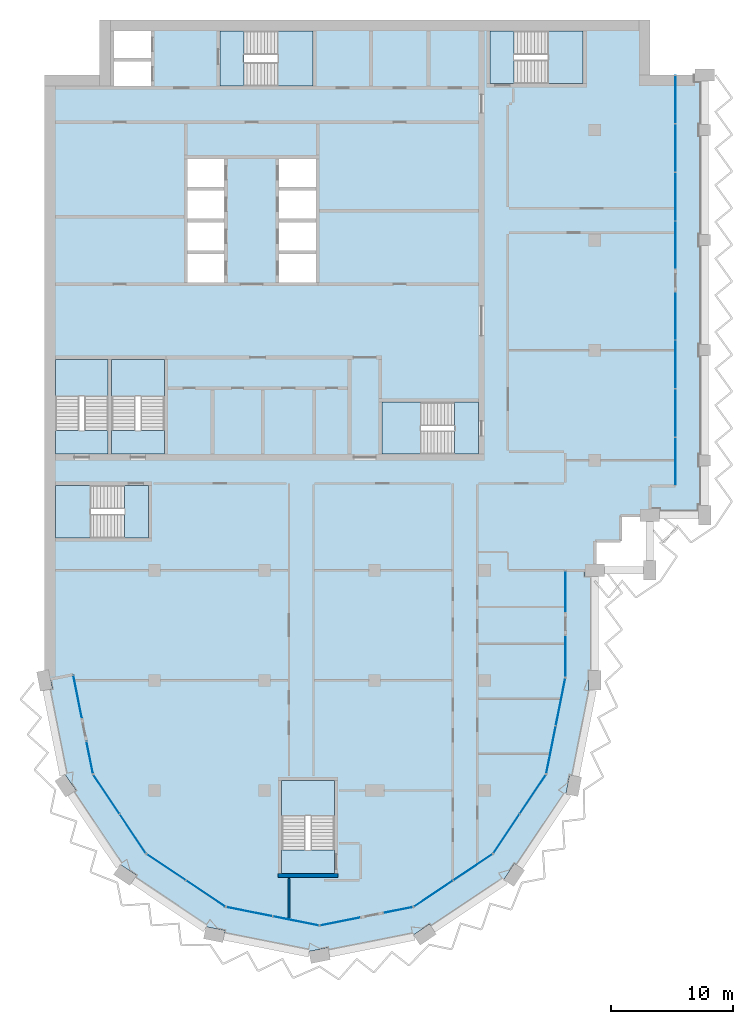
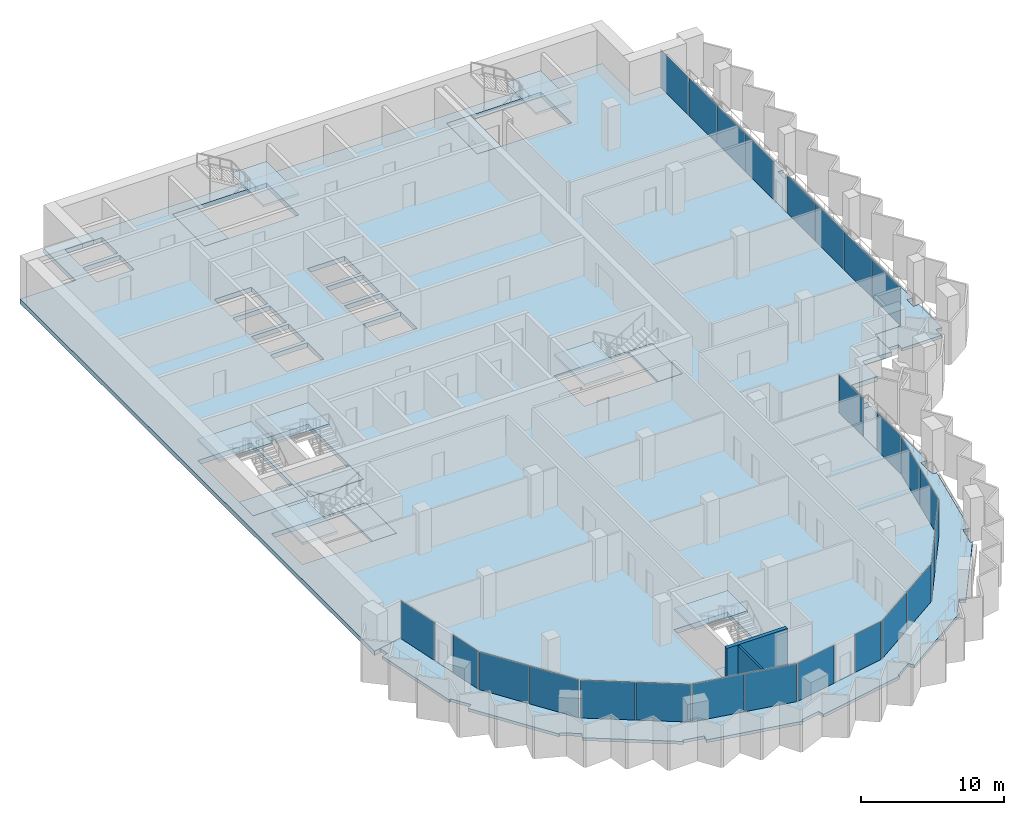
# One storey, part 6 of 16: 26 plates, 17 slabs, 2 walls, 21 elements without a shape of their own.
"""IFC4 building model written with IfcOpenShell, lengths in metres."""

from ifc_helpers import new_model, si_unit, direction, frame, frame_2d, origin, origin_2d, place, context, subcontext, project, spatial, polyline, rectangle, outline, extrude, material, layer, layer_set, type_object, element, aggregate, save


model = new_model("IFC4")

# Units and contexts
model_context = context("Model", 3, precision=1e-05, world=origin(), true_north=direction((0.0, 1.0)))
body_context = subcontext(model_context, "Body", "Model", "MODEL_VIEW")
ifc_project = project(units=[si_unit("LENGTHUNIT", "METRE"), si_unit("AREAUNIT", "SQUARE_METRE"), si_unit("VOLUMEUNIT", "CUBIC_METRE"), si_unit("PLANEANGLEUNIT", "RADIAN"), si_unit("MASSUNIT", "GRAM", prefix="KILO")], contexts=[model_context])

# Site, building, storey
site_placement = place(None, origin())
site = spatial("IfcSite", under=ifc_project, at=site_placement, CompositionType="ELEMENT")
building_placement = place(site_placement, origin())
building = spatial("IfcBuilding", under=site, at=building_placement, Name="Hunhe Ridgeline Campus", CompositionType="ELEMENT")
storey_placement = place(building_placement, frame((0.0, 0.0, 254.0)))
storey = spatial("IfcBuildingStorey", under=building, at=storey_placement, Name="L65", CompositionType="ELEMENT", Elevation=254.0)

# Curtain wall, plate
ifc_material_1 = material(Name="Aluminium 6063", Category="aluminium")
curtain_wall_type_1 = type_object("IfcCurtainWallType", Name="Curtain wall CW-5", PredefinedType="NOTDEFINED", material=ifc_material_1)
curtain_wall_1_placement = place(storey_placement, origin())
curtain_wall_1 = element("IfcCurtainWall", 1, at=curtain_wall_1_placement, inside=storey, type_object=curtain_wall_type_1, Name="Curtain wall 01", PredefinedType="NOTDEFINED")
ifc_material_2 = material(Name="Low-e laminated glass", Category="glass")
ifc_layer_1 = layer(ifc_material_2, 0.028076171875)
ifc_layer_set_1 = layer_set([ifc_layer_1], Name="Curtain wall glass panel 28 low-e laminated")
plate_type = type_object("IfcPlateType", Name="Curtain wall glass panel 28 low-e laminated", PredefinedType="CURTAIN_PANEL", material=ifc_layer_set_1)
plate_1_placement = place(storey_placement, frame((2.7158203125, 43.65380859375, 0.0), z_axis=(0.0, 0.0, 1.0), x_axis=(0.195095326561, -0.980784284924, 0.0)))
plate_1 = element("IfcPlate", 2, at=plate_1_placement, type_object=plate_type, Name="CW-5 panel 1", PredefinedType="CURTAIN_PANEL", context=body_context, shape_type="SweptSolid", body=[
    extrude(rectangle(XDim=3.560791015625, YDim=0.028076171875, at=origin_2d()), origin(), (0.0, 0.0, 1.0), 3.22998046875),
])
aggregate(curtain_wall_1, [plate_1])

curtain_wall_2_placement = place(storey_placement, origin())
curtain_wall_2 = element("IfcCurtainWall", 3, at=curtain_wall_2_placement, inside=storey, type_object=curtain_wall_type_1, Name="Curtain wall 02", PredefinedType="NOTDEFINED")
plate_2_placement = place(storey_placement, frame((3.701171875, 38.699951171875, 0.0), z_axis=(0.0, 0.0, 1.0), x_axis=(0.195095265587, -0.980784297053, 0.0)))
plate_2 = element("IfcPlate", 4, at=plate_2_placement, type_object=plate_type, Name="CW-5 panel 1", PredefinedType="CURTAIN_PANEL", context=body_context, shape_type="SweptSolid", body=[
    extrude(rectangle(XDim=2.660888671875, YDim=0.028076171875, at=origin_2d()), origin(), (0.0, 0.0, 1.0), 3.22998046875),
])
aggregate(curtain_wall_2, [plate_2])

# Curtain wall, plates
curtain_wall_3_placement = place(storey_placement, origin())
curtain_wall_3 = element("IfcCurtainWall", 5, at=curtain_wall_3_placement, inside=storey, type_object=curtain_wall_type_1, Name="Curtain wall 03", PredefinedType="NOTDEFINED")
plate_3_placement = place(storey_placement, frame((5.07080078125, 35.685546875, 0.0), z_axis=(0.0, 0.0, 1.0), x_axis=(0.555570274596, -0.831469584522, 0.0)))
plate_3 = element("IfcPlate", 6, at=plate_3_placement, type_object=plate_type, Name="CW-5 panel 1", PredefinedType="CURTAIN_PANEL", context=body_context, shape_type="SweptSolid", body=[
    extrude(rectangle(XDim=3.806884765625, YDim=0.028076171875, at=origin_2d()), origin(), (0.0, 0.0, 1.0), 3.22998046875),
])
plate_4_placement = place(storey_placement, frame((7.224609375, 32.4619140625, 0.0), z_axis=(0.0, 0.0, 1.0), x_axis=(0.555570274596, -0.831469584522, 0.0)))
plate_4 = element("IfcPlate", 7, at=plate_4_placement, type_object=plate_type, Name="CW-5 panel 2", PredefinedType="CURTAIN_PANEL", context=body_context, shape_type="SweptSolid", body=[
    extrude(rectangle(XDim=3.806884765625, YDim=0.028076171875, at=origin_2d()), origin(), (0.0, 0.0, 1.0), 3.22998046875),
])
aggregate(curtain_wall_3, [plate_3, plate_4])

curtain_wall_4_placement = place(storey_placement, origin())
curtain_wall_4 = element("IfcCurtainWall", 8, at=curtain_wall_4_placement, inside=storey, type_object=curtain_wall_type_1, Name="Curtain wall 04", PredefinedType="NOTDEFINED")
plate_5_placement = place(storey_placement, frame((9.9619140625, 29.724609375, 0.0), z_axis=(0.0, 0.0, 1.0), x_axis=(0.831469584522, -0.555570274596, 0.0)))
plate_5 = element("IfcPlate", 9, at=plate_5_placement, type_object=plate_type, Name="CW-5 panel 1", PredefinedType="CURTAIN_PANEL", context=body_context, shape_type="SweptSolid", body=[
    extrude(rectangle(XDim=3.806884765625, YDim=0.028076171875, at=origin_2d()), origin(), (0.0, 0.0, 1.0), 3.22998046875),
])
plate_6_placement = place(storey_placement, frame((13.185546875, 27.57080078125, 0.0), z_axis=(0.0, 0.0, 1.0), x_axis=(0.831469584522, -0.555570274596, 0.0)))
plate_6 = element("IfcPlate", 10, at=plate_6_placement, type_object=plate_type, Name="CW-5 panel 2", PredefinedType="CURTAIN_PANEL", context=body_context, shape_type="SweptSolid", body=[
    extrude(rectangle(XDim=3.806884765625, YDim=0.028076171875, at=origin_2d()), origin(), (0.0, 0.0, 1.0), 3.22998046875),
])
aggregate(curtain_wall_4, [plate_5, plate_6])

curtain_wall_5_placement = place(storey_placement, origin())
curtain_wall_5 = element("IfcCurtainWall", 11, at=curtain_wall_5_placement, inside=storey, type_object=curtain_wall_type_1, Name="Curtain wall 05", PredefinedType="NOTDEFINED")
plate_7_placement = place(storey_placement, frame((16.761962890625, 26.08935546875, 0.0), z_axis=(0.0, 0.0, 1.0), x_axis=(0.980785275326, -0.195090347539, 0.0)))
plate_7 = element("IfcPlate", 12, at=plate_7_placement, type_object=plate_type, Name="CW-5 panel 1", PredefinedType="CURTAIN_PANEL", context=body_context, shape_type="SweptSolid", body=[
    extrude(rectangle(XDim=3.806884765625, YDim=0.028076171875, at=origin_2d()), origin(), (0.0, 0.0, 1.0), 3.22998046875),
])
plate_8_placement = place(storey_placement, frame((20.564453125, 25.3330078125, 0.0), z_axis=(0.0, 0.0, 1.0), x_axis=(0.980785275326, -0.195090347539, 0.0)))
plate_8 = element("IfcPlate", 13, at=plate_8_placement, type_object=plate_type, Name="CW-5 panel 2", PredefinedType="CURTAIN_PANEL", context=body_context, shape_type="SweptSolid", body=[
    extrude(rectangle(XDim=3.806884765625, YDim=0.028076171875, at=origin_2d()), origin(), (0.0, 0.0, 1.0), 3.22998046875),
])
aggregate(curtain_wall_5, [plate_7, plate_8])

# Curtain wall, plate
curtain_wall_6_placement = place(storey_placement, origin())
curtain_wall_6 = element("IfcCurtainWall", 14, at=curtain_wall_6_placement, inside=storey, type_object=curtain_wall_type_1, Name="Curtain wall 06", PredefinedType="NOTDEFINED")
plate_9_placement = place(storey_placement, frame((24.19775390625, 25.28564453125, 0.0), z_axis=(0.0, 0.0, 1.0), x_axis=(0.980785270791, 0.19509037034, 0.0)))
plate_9 = element("IfcPlate", 15, at=plate_9_placement, type_object=plate_type, Name="CW-5 panel 1", PredefinedType="CURTAIN_PANEL", context=body_context, shape_type="SweptSolid", body=[
    extrude(rectangle(XDim=3.322021484375, YDim=0.028076171875, at=origin_2d()), origin(), (0.0, 0.0, 1.0), 3.22998046875),
])
aggregate(curtain_wall_6, [plate_9])

curtain_wall_7_placement = place(storey_placement, origin())
curtain_wall_7 = element("IfcCurtainWall", 16, at=curtain_wall_7_placement, inside=storey, type_object=curtain_wall_type_1, Name="Curtain wall 07", PredefinedType="NOTDEFINED")
plate_10_placement = place(storey_placement, frame((28.917236328125, 26.224609375, 0.0), z_axis=(0.0, 0.0, 1.0), x_axis=(0.980785242091, 0.195090514627, 0.0)))
plate_10 = element("IfcPlate", 17, at=plate_10_placement, type_object=plate_type, Name="CW-5 panel 1", PredefinedType="CURTAIN_PANEL", context=body_context, shape_type="SweptSolid", body=[
    extrude(rectangle(XDim=2.421875, YDim=0.028076171875, at=origin_2d()), origin(), (0.0, 0.0, 1.0), 3.22998046875),
])
aggregate(curtain_wall_7, [plate_10])

# Curtain wall, plates
curtain_wall_8_placement = place(storey_placement, origin())
curtain_wall_8 = element("IfcCurtainWall", 18, at=curtain_wall_8_placement, inside=storey, type_object=curtain_wall_type_1, Name="Curtain wall 08", PredefinedType="NOTDEFINED")
plate_11_placement = place(storey_placement, frame((31.814453125, 27.57080078125, 0.0), z_axis=(0.0, 0.0, 1.0), x_axis=(0.831469584522, 0.555570274596, 0.0)))
plate_11 = element("IfcPlate", 19, at=plate_11_placement, type_object=plate_type, Name="CW-5 panel 1", PredefinedType="CURTAIN_PANEL", context=body_context, shape_type="SweptSolid", body=[
    extrude(rectangle(XDim=3.806884765625, YDim=0.028076171875, at=origin_2d()), origin(), (0.0, 0.0, 1.0), 3.22998046875),
])
plate_12_placement = place(storey_placement, frame((35.0380859375, 29.724609375, 0.0), z_axis=(0.0, 0.0, 1.0), x_axis=(0.831469584522, 0.555570274596, 0.0)))
plate_12 = element("IfcPlate", 20, at=plate_12_placement, type_object=plate_type, Name="CW-5 panel 2", PredefinedType="CURTAIN_PANEL", context=body_context, shape_type="SweptSolid", body=[
    extrude(rectangle(XDim=3.806884765625, YDim=0.028076171875, at=origin_2d()), origin(), (0.0, 0.0, 1.0), 3.22998046875),
])
aggregate(curtain_wall_8, [plate_11, plate_12])

curtain_wall_9_placement = place(storey_placement, origin())
curtain_wall_9 = element("IfcCurtainWall", 21, at=curtain_wall_9_placement, inside=storey, type_object=curtain_wall_type_1, Name="Curtain wall 09", PredefinedType="NOTDEFINED")
plate_13_placement = place(storey_placement, frame((37.775390625, 32.4619140625, 0.0), z_axis=(0.0, 0.0, 1.0), x_axis=(0.555570274596, 0.831469584522, 0.0)))
plate_13 = element("IfcPlate", 22, at=plate_13_placement, type_object=plate_type, Name="CW-5 panel 1", PredefinedType="CURTAIN_PANEL", context=body_context, shape_type="SweptSolid", body=[
    extrude(rectangle(XDim=3.806884765625, YDim=0.028076171875, at=origin_2d()), origin(), (0.0, 0.0, 1.0), 3.22998046875),
])
plate_14_placement = place(storey_placement, frame((39.92919921875, 35.685546875, 0.0), z_axis=(0.0, 0.0, 1.0), x_axis=(0.555570274596, 0.831469584522, 0.0)))
plate_14 = element("IfcPlate", 23, at=plate_14_placement, type_object=plate_type, Name="CW-5 panel 2", PredefinedType="CURTAIN_PANEL", context=body_context, shape_type="SweptSolid", body=[
    extrude(rectangle(XDim=3.806884765625, YDim=0.028076171875, at=origin_2d()), origin(), (0.0, 0.0, 1.0), 3.22998046875),
])
aggregate(curtain_wall_9, [plate_13, plate_14])

curtain_wall_10_placement = place(storey_placement, origin())
curtain_wall_10 = element("IfcCurtainWall", 24, at=curtain_wall_10_placement, inside=storey, type_object=curtain_wall_type_1, Name="Curtain wall 10", PredefinedType="NOTDEFINED")
plate_15_placement = place(storey_placement, frame((41.42236328125, 39.321044921875, 0.0), z_axis=(0.0, 0.0, 1.0), x_axis=(0.195090299215, 0.980785284939, 0.0)))
plate_15 = element("IfcPlate", 25, at=plate_15_placement, type_object=plate_type, Name="CW-5 panel 1", PredefinedType="CURTAIN_PANEL", context=body_context, shape_type="SweptSolid", body=[
    extrude(rectangle(XDim=3.927490234375, YDim=0.028076171875, at=origin_2d()), origin(), (0.0, 0.0, 1.0), 3.22998046875),
])
plate_16_placement = place(storey_placement, frame((42.2021484375, 43.24169921875, 0.0), z_axis=(0.0, 0.0, 1.0), x_axis=(0.195090299215, 0.980785284939, 0.0)))
plate_16 = element("IfcPlate", 26, at=plate_16_placement, type_object=plate_type, Name="CW-5 panel 2", PredefinedType="CURTAIN_PANEL", context=body_context, shape_type="SweptSolid", body=[
    extrude(rectangle(XDim=3.927490234375, YDim=0.028076171875, at=origin_2d()), origin(), (0.0, 0.0, 1.0), 3.22998046875),
])
aggregate(curtain_wall_10, [plate_15, plate_16])

# Curtain wall, plate
curtain_wall_type_2 = type_object("IfcCurtainWallType", Name="Curtain wall CW-1", PredefinedType="NOTDEFINED", material=ifc_material_1)
curtain_wall_11_placement = place(storey_placement, origin())
curtain_wall_11 = element("IfcCurtainWall", 27, at=curtain_wall_11_placement, inside=storey, type_object=curtain_wall_type_2, Name="Curtain wall 11", PredefinedType="NOTDEFINED")
plate_17_placement = place(storey_placement, frame((42.59912109375, 46.9775390625, 0.0), z_axis=(0.0, 0.0, 1.0), x_axis=(1.9241592e-05, 0.999999999815, 0.0)))
plate_17 = element("IfcPlate", 28, at=plate_17_placement, type_object=plate_type, Name="CW-1 panel 1", PredefinedType="CURTAIN_PANEL", context=body_context, shape_type="SweptSolid", body=[
    extrude(rectangle(XDim=3.362060546875, YDim=0.028076171875, at=origin_2d()), origin(), (0.0, 0.0, 1.0), 3.239990234375),
])
aggregate(curtain_wall_11, [plate_17])

curtain_wall_12_placement = place(storey_placement, origin())
curtain_wall_12 = element("IfcCurtainWall", 29, at=curtain_wall_12_placement, inside=storey, type_object=curtain_wall_type_2, Name="Curtain wall 12", PredefinedType="NOTDEFINED")
plate_18_placement = place(storey_placement, frame((42.59912109375, 52.259521484375, 0.0), z_axis=(0.0, 0.0, 1.0), x_axis=(1.9241592e-05, 0.999999999815, 0.0)))
plate_18 = element("IfcPlate", 30, at=plate_18_placement, type_object=plate_type, Name="CW-1 panel 1", PredefinedType="CURTAIN_PANEL", context=body_context, shape_type="SweptSolid", body=[
    extrude(rectangle(XDim=3.362060546875, YDim=0.028076171875, at=origin_2d()), origin(), (0.0, 0.0, 1.0), 3.239990234375),
])
aggregate(curtain_wall_12, [plate_18])

# Curtain wall, plates
curtain_wall_13_placement = place(storey_placement, origin())
curtain_wall_13 = element("IfcCurtainWall", 31, at=curtain_wall_13_placement, inside=storey, type_object=curtain_wall_type_2, Name="Curtain wall 13", PredefinedType="NOTDEFINED")
plate_19_placement = place(storey_placement, frame((51.59912109375, 62.9033203125, 0.0), z_axis=(0.0, 0.0, 1.0), x_axis=(0.0, 1.0, 0.0)))
plate_19 = element("IfcPlate", 32, at=plate_19_placement, type_object=plate_type, Name="CW-1 panel 1", PredefinedType="CURTAIN_PANEL", context=body_context, shape_type="SweptSolid", body=[
    extrude(rectangle(XDim=3.884765625, YDim=0.028076171875, at=origin_2d()), origin(), (0.0, 0.0, 1.0), 3.239990234375),
])
plate_20_placement = place(storey_placement, frame((51.59912109375, 66.86328125, 0.0), z_axis=(0.0, 0.0, 1.0), x_axis=(0.0, 1.0, 0.0)))
plate_20 = element("IfcPlate", 33, at=plate_20_placement, type_object=plate_type, Name="CW-1 panel 2", PredefinedType="CURTAIN_PANEL", context=body_context, shape_type="SweptSolid", body=[
    extrude(rectangle(XDim=3.914794921875, YDim=0.028076171875, at=origin_2d()), origin(), (0.0, 0.0, 1.0), 3.239990234375),
])
plate_21_placement = place(storey_placement, frame((51.59912109375, 70.838134765625, 0.0), z_axis=(0.0, 0.0, 1.0), x_axis=(0.0, 1.0, 0.0)))
plate_21 = element("IfcPlate", 34, at=plate_21_placement, type_object=plate_type, Name="CW-1 panel 3", PredefinedType="CURTAIN_PANEL", context=body_context, shape_type="SweptSolid", body=[
    extrude(rectangle(XDim=3.914794921875, YDim=0.028076171875, at=origin_2d()), origin(), (0.0, 0.0, 1.0), 3.239990234375),
])
plate_22_placement = place(storey_placement, frame((51.59912109375, 74.798095703125, 0.0), z_axis=(0.0, 0.0, 1.0), x_axis=(0.0, 1.0, 0.0)))
plate_22 = element("IfcPlate", 35, at=plate_22_placement, type_object=plate_type, Name="CW-1 panel 4", PredefinedType="CURTAIN_PANEL", context=body_context, shape_type="SweptSolid", body=[
    extrude(rectangle(XDim=3.884765625, YDim=0.028076171875, at=origin_2d()), origin(), (0.0, 0.0, 1.0), 3.239990234375),
])
aggregate(curtain_wall_13, [plate_19, plate_20, plate_21, plate_22])

curtain_wall_14_placement = place(storey_placement, origin())
curtain_wall_14 = element("IfcCurtainWall", 36, at=curtain_wall_14_placement, inside=storey, type_object=curtain_wall_type_2, Name="Curtain wall 14", PredefinedType="NOTDEFINED")
plate_23_placement = place(storey_placement, frame((51.59912109375, 80.60302734375, 0.0), z_axis=(0.0, 0.0, 1.0), x_axis=(0.0, 1.0, 0.0)))
plate_23 = element("IfcPlate", 37, at=plate_23_placement, type_object=plate_type, Name="CW-1 panel 1", PredefinedType="CURTAIN_PANEL", context=body_context, shape_type="SweptSolid", body=[
    extrude(rectangle(XDim=3.884765625, YDim=0.028076171875, at=origin_2d()), origin(), (0.0, 0.0, 1.0), 3.239990234375),
])
plate_24_placement = place(storey_placement, frame((51.59912109375, 84.562744140625, 0.0), z_axis=(0.0, 0.0, 1.0), x_axis=(0.0, 1.0, 0.0)))
plate_24 = element("IfcPlate", 38, at=plate_24_placement, type_object=plate_type, Name="CW-1 panel 2", PredefinedType="CURTAIN_PANEL", context=body_context, shape_type="SweptSolid", body=[
    extrude(rectangle(XDim=3.914794921875, YDim=0.028076171875, at=origin_2d()), origin(), (0.0, 0.0, 1.0), 3.239990234375),
])
plate_25_placement = place(storey_placement, frame((51.59912109375, 88.53759765625, 0.0), z_axis=(0.0, 0.0, 1.0), x_axis=(0.0, 1.0, 0.0)))
plate_25 = element("IfcPlate", 39, at=plate_25_placement, type_object=plate_type, Name="CW-1 panel 3", PredefinedType="CURTAIN_PANEL", context=body_context, shape_type="SweptSolid", body=[
    extrude(rectangle(XDim=3.914794921875, YDim=0.028076171875, at=origin_2d()), origin(), (0.0, 0.0, 1.0), 3.239990234375),
])
plate_26_placement = place(storey_placement, frame((51.59912109375, 92.49755859375, 0.0), z_axis=(0.0, 0.0, 1.0), x_axis=(0.0, 1.0, 0.0)))
plate_26 = element("IfcPlate", 40, at=plate_26_placement, type_object=plate_type, Name="CW-1 panel 4", PredefinedType="CURTAIN_PANEL", context=body_context, shape_type="SweptSolid", body=[
    extrude(rectangle(XDim=3.884765625, YDim=0.028076171875, at=origin_2d()), origin(), (0.0, 0.0, 1.0), 3.239990234375),
])
aggregate(curtain_wall_14, [plate_23, plate_24, plate_25, plate_26])

# Slabs
ifc_material_3 = material(Name="Concrete C40", Category="concrete")
ifc_layer_2 = layer(ifc_material_3, 0.39990234375)
ifc_layer_set_2 = layer_set([ifc_layer_2], Name="Floor slab 400 Concrete C40")
slab_type_1 = type_object("IfcSlabType", Name="Floor slab 400 Concrete C40", PredefinedType="FLOOR", material=ifc_layer_set_2)
slab_1_placement = place(storey_placement, frame((0.0, 0.0, -0.39990234375)))
element("IfcSlab", 41, at=slab_1_placement, inside=storey, type_object=slab_type_1, Name="Floor slab L65 1", PredefinedType="FLOOR", context=body_context, shape_type="SweptSolid", body=[
    extrude(outline(polyline([(36.678955078125, 30.821044921875), (41.025634765625, 37.326416015625), (42.59912109375, 45.236572265625), (42.59912109375, 54.00048828125), (44.9990234375, 54.0009765625), (44.999267578125, 56.400634765625), (47.09912109375, 56.40087890625), (47.099609375, 58.5009765625), (49.4990234375, 58.5009765625), (49.49951171875, 60.90087890625), (51.59912109375, 60.90087890625), (51.59912109375, 94.5), (49.5, 94.5), (49.5, 99.0), (4.5, 99.0), (4.5, 94.5), (0.0, 94.5), (0.0, 45.0009765625), (2.354736328125, 45.46875), (3.974365234375, 37.326416015625), (8.321044921875, 30.821044921875), (14.826416015625, 26.474365234375), (22.5, 24.947998046875), (30.173583984375, 26.474365234375), (36.678955078125, 30.821044921875)]), holes=[polyline([(36.449951171875, 98.10009765625), (36.449951171875, 93.800048828125), (44.050048828125, 93.800048828125), (44.050048828125, 98.10009765625), (36.449951171875, 98.10009765625)]), polyline([(27.60009765625, 63.5), (35.5, 63.5), (35.5, 67.75), (27.60009765625, 67.75), (27.60009765625, 63.5)]), polyline([(19.39990234375, 36.800048828125), (19.39990234375, 29.199951171875), (23.699951171875, 29.199951171875), (23.699951171875, 36.800048828125), (19.39990234375, 36.800048828125)]), polyline([(22.199951171875, 87.64990234375), (19.199951171875, 87.64990234375), (19.199951171875, 85.35009765625), (22.199951171875, 85.35009765625), (22.199951171875, 87.64990234375)]), polyline([(22.199951171875, 77.550048828125), (22.199951171875, 79.85009765625), (19.199951171875, 79.85009765625), (19.199951171875, 77.550048828125), (22.199951171875, 77.550048828125)]), polyline([(19.199951171875, 85.050048828125), (19.199951171875, 82.75), (22.199951171875, 82.75), (22.199951171875, 85.050048828125), (19.199951171875, 85.050048828125)]), polyline([(19.199951171875, 80.14990234375), (22.199951171875, 80.14990234375), (22.199951171875, 82.449951171875), (19.199951171875, 82.449951171875), (19.199951171875, 80.14990234375)]), polyline([(14.35009765625, 98.10009765625), (14.35009765625, 93.60009765625), (21.949951171875, 93.60009765625), (21.949951171875, 98.10009765625), (14.35009765625, 98.10009765625)]), polyline([(14.699951171875, 87.64990234375), (11.699951171875, 87.64990234375), (11.699951171875, 85.35009765625), (14.699951171875, 85.35009765625), (14.699951171875, 87.64990234375)]), polyline([(14.699951171875, 77.550048828125), (14.699951171875, 79.85009765625), (11.699951171875, 79.85009765625), (11.699951171875, 77.550048828125), (14.699951171875, 77.550048828125)]), polyline([(11.699951171875, 85.050048828125), (11.699951171875, 82.75), (14.699951171875, 82.75), (14.699951171875, 85.050048828125), (11.699951171875, 85.050048828125)]), polyline([(11.699951171875, 80.14990234375), (14.699951171875, 80.14990234375), (14.699951171875, 82.449951171875), (11.699951171875, 82.449951171875), (11.699951171875, 80.14990234375)]), polyline([(9.800048828125, 63.5), (9.800048828125, 71.25), (5.5, 71.25), (5.5, 63.5), (9.800048828125, 63.5)]), polyline([(8.699951171875, 93.60009765625), (8.699951171875, 95.60009765625), (5.699951171875, 95.60009765625), (5.699951171875, 93.60009765625), (8.699951171875, 93.60009765625)]), polyline([(5.699951171875, 95.89990234375), (8.699951171875, 95.89990234375), (8.699951171875, 98.10009765625), (5.699951171875, 98.10009765625), (5.699951171875, 95.89990234375)]), polyline([(0.89990234375, 60.949951171875), (0.89990234375, 56.64990234375), (8.5, 56.64990234375), (8.5, 60.949951171875), (0.89990234375, 60.949951171875)]), polyline([(5.199951171875, 71.25), (0.89990234375, 71.25), (0.89990234375, 63.5), (5.199951171875, 63.5), (5.199951171875, 71.25)])]), origin(), (0.0, 0.0, 1.0), 0.39990234375),
])
ifc_layer_3 = layer(ifc_material_3, 0.25)
ifc_layer_set_3 = layer_set([ifc_layer_3], Name="Loggia slab 250 Concrete C40")
slab_type_2 = type_object("IfcSlabType", Name="Loggia slab 250 Concrete C40", PredefinedType="FLOOR", material=ifc_layer_set_3)
slab_2_placement = place(storey_placement, frame((0.0, 0.0, -0.25)))
element("IfcSlab", 42, at=slab_2_placement, inside=storey, type_object=slab_type_2, Name="Loggia slab 1", PredefinedType="FLOOR", context=body_context, shape_type="SweptSolid", body=[
    extrude(outline(polyline([(30.173828125, 26.473388671875), (22.5, 24.947021484375), (14.826171875, 26.473388671875), (8.3203125, 30.8203125), (3.973388671875, 37.326171875), (2.35400390625, 45.46826171875), (0.490478515625, 45.09765625), (0.646484375, 44.31298828125), (0.156005859375, 44.21533203125), (1.543701171875, 37.239013671875), (1.68408203125, 37.33251953125), (2.572998046875, 36.002197265625), (2.1572265625, 35.724365234375), (6.109130859375, 29.81005859375), (6.20263671875, 29.9501953125), (7.532958984375, 29.061279296875), (7.25537109375, 28.645751953125), (13.169677734375, 24.69384765625), (13.20263671875, 24.859130859375), (14.771728515625, 24.547119140625), (14.67431640625, 24.056640625), (21.650634765625, 22.6689453125), (21.617919921875, 22.834228515625), (23.18701171875, 23.146484375), (23.28466796875, 22.656005859375), (30.260986328125, 24.043701171875), (30.16748046875, 24.18408203125), (31.497802734375, 25.072998046875), (31.775634765625, 24.6572265625), (37.68994140625, 28.609130859375), (37.5498046875, 28.70263671875), (38.438720703125, 30.032958984375), (38.854248046875, 29.75537109375), (42.80615234375, 35.669677734375), (42.640869140625, 35.70263671875), (42.952880859375, 37.271728515625), (43.443359375, 37.17431640625), (44.8408203125, 44.199951171875), (44.5, 44.199951171875), (44.5, 45.800048828125), (45.0, 45.800048828125), (45.0, 53.5), (44.199951171875, 53.5), (44.199951171875, 54.0), (42.60009765625, 54.0), (42.60009765625, 45.236328125), (41.026611328125, 37.326171875), (36.6796875, 30.8203125), (30.173828125, 26.473388671875)])), origin(), (0.0, 0.0, 1.0), 0.25),
])
slab_3_placement = place(storey_placement, frame((0.0, 0.0, -0.25)))
element("IfcSlab", 43, at=slab_3_placement, inside=storey, type_object=slab_type_2, Name="Loggia slab 2", PredefinedType="FLOOR", context=body_context, shape_type="SweptSolid", body=[
    extrude(outline(polyline([(49.5, 59.0), (50.300048828125, 59.0), (50.300048828125, 58.5), (53.5, 58.5), (53.5, 59.300048828125), (54.0, 59.300048828125), (54.0, 62.550048828125), (53.550048828125, 62.550048828125), (53.550048828125, 63.449951171875), (54.0, 63.449951171875), (54.0, 71.550048828125), (53.550048828125, 71.550048828125), (53.550048828125, 72.449951171875), (54.0, 72.449951171875), (54.0, 80.550048828125), (53.550048828125, 80.550048828125), (53.550048828125, 81.449951171875), (54.0, 81.449951171875), (54.0, 89.550048828125), (53.550048828125, 89.550048828125), (53.550048828125, 90.449951171875), (54.0, 90.449951171875), (54.0, 94.0), (53.199951171875, 94.0), (53.199951171875, 94.5), (51.60009765625, 94.5), (51.60009765625, 60.89990234375), (49.5, 60.89990234375), (49.5, 59.0)])), origin(), (0.0, 0.0, 1.0), 0.25),
])

# Stair, slab
stair_type = type_object("IfcStairType", Name="Reinforced concrete dog-leg stair 1950 Concrete C40", PredefinedType="HALF_TURN_STAIR", material=ifc_material_3)
stair_1_placement = place(storey_placement, origin())
stair_1 = element("IfcStair", 44, at=stair_1_placement, inside=storey, type_object=stair_type, Name="L65 S1", PredefinedType="HALF_TURN_STAIR")
ifc_layer_4 = layer(ifc_material_3, 0.199951171875)
ifc_layer_set_4 = layer_set([ifc_layer_4], Name="Reinforced concrete stair landing 200 Concrete C40")
slab_type_3 = type_object("IfcSlabType", Name="Reinforced concrete stair landing 200 Concrete C40", PredefinedType="LANDING", material=ifc_layer_set_4)
slab_4_placement = place(storey_placement, frame((0.0, 0.0, 1.64990234375)))
slab_4 = element("IfcSlab", 45, at=slab_4_placement, type_object=slab_type_3, Name="ST1 landing 1", PredefinedType="LANDING", context=body_context, shape_type="SweptSolid", body=[
    extrude(outline(polyline([(19.10009765625, 93.60009765625), (21.949951171875, 93.60009765625), (21.949951171875, 98.10009765625), (19.10009765625, 98.10009765625), (19.10009765625, 93.60009765625)])), origin(), (0.0, 0.0, 1.0), 0.2001953125),
])
aggregate(stair_1, [slab_4])

# Slab
slab_5_placement = place(storey_placement, frame((0.0, 0.0, -0.199951171875)))
element("IfcSlab", 46, at=slab_5_placement, inside=storey, type_object=slab_type_3, Name="L65 stair S1 floor landing", PredefinedType="LANDING", context=body_context, shape_type="SweptSolid", body=[
    extrude(outline(polyline([(14.35009765625, 93.60009765625), (16.300048828125, 93.60009765625), (16.300048828125, 98.10009765625), (14.35009765625, 98.10009765625), (14.35009765625, 93.60009765625)])), origin(), (0.0, 0.0, 1.0), 0.199951171875),
])

# Stair, slab
stair_2_placement = place(storey_placement, origin())
stair_2 = element("IfcStair", 47, at=stair_2_placement, inside=storey, type_object=stair_type, Name="L65 S2", PredefinedType="HALF_TURN_STAIR")
slab_6_placement = place(storey_placement, frame((0.0, 0.0, 1.64990234375)))
slab_6 = element("IfcSlab", 48, at=slab_6_placement, type_object=slab_type_3, Name="ST2 landing 1", PredefinedType="LANDING", context=body_context, shape_type="SweptSolid", body=[
    extrude(outline(polyline([(30.75, 67.75), (27.60009765625, 67.75), (27.60009765625, 63.5), (30.75, 63.5), (30.75, 67.75)])), origin(), (0.0, 0.0, 1.0), 0.2001953125),
])
aggregate(stair_2, [slab_6])

# Slab
slab_7_placement = place(storey_placement, frame((0.0, 0.0, -0.199951171875)))
element("IfcSlab", 49, at=slab_7_placement, inside=storey, type_object=slab_type_3, Name="L65 stair S2 floor landing", PredefinedType="LANDING", context=body_context, shape_type="SweptSolid", body=[
    extrude(outline(polyline([(35.5, 67.75), (33.550048828125, 67.75), (33.550048828125, 63.5), (35.5, 63.5), (35.5, 67.75)])), origin(), (0.0, 0.0, 1.0), 0.199951171875),
])

# Stair, slab
stair_3_placement = place(storey_placement, origin())
stair_3 = element("IfcStair", 50, at=stair_3_placement, inside=storey, type_object=stair_type, Name="L65 S3", PredefinedType="HALF_TURN_STAIR")
slab_8_placement = place(storey_placement, frame((0.0, 0.0, 1.64990234375)))
slab_8 = element("IfcSlab", 51, at=slab_8_placement, type_object=slab_type_3, Name="ST3 landing 1", PredefinedType="LANDING", context=body_context, shape_type="SweptSolid", body=[
    extrude(outline(polyline([(5.199951171875, 68.25), (5.199951171875, 71.25), (0.89990234375, 71.25), (0.89990234375, 68.25), (5.199951171875, 68.25)])), origin(), (0.0, 0.0, 1.0), 0.2001953125),
])
aggregate(stair_3, [slab_8])

# Slab
slab_9_placement = place(storey_placement, frame((0.0, 0.0, -0.199951171875)))
element("IfcSlab", 52, at=slab_9_placement, inside=storey, type_object=slab_type_3, Name="L65 stair S3 floor landing", PredefinedType="LANDING", context=body_context, shape_type="SweptSolid", body=[
    extrude(outline(polyline([(5.199951171875, 63.5), (5.199951171875, 65.449951171875), (0.89990234375, 65.449951171875), (0.89990234375, 63.5), (5.199951171875, 63.5)])), origin(), (0.0, 0.0, 1.0), 0.199951171875),
])

# Stair, slab
stair_4_placement = place(storey_placement, origin())
stair_4 = element("IfcStair", 53, at=stair_4_placement, inside=storey, type_object=stair_type, Name="L65 S4", PredefinedType="HALF_TURN_STAIR")
slab_10_placement = place(storey_placement, frame((0.0, 0.0, 1.64990234375)))
slab_10 = element("IfcSlab", 54, at=slab_10_placement, type_object=slab_type_3, Name="ST4 landing 1", PredefinedType="LANDING", context=body_context, shape_type="SweptSolid", body=[
    extrude(outline(polyline([(9.800048828125, 68.25), (9.800048828125, 71.25), (5.5, 71.25), (5.5, 68.25), (9.800048828125, 68.25)])), origin(), (0.0, 0.0, 1.0), 0.2001953125),
])
aggregate(stair_4, [slab_10])

# Slab
slab_11_placement = place(storey_placement, frame((0.0, 0.0, -0.199951171875)))
element("IfcSlab", 55, at=slab_11_placement, inside=storey, type_object=slab_type_3, Name="L65 stair S4 floor landing", PredefinedType="LANDING", context=body_context, shape_type="SweptSolid", body=[
    extrude(outline(polyline([(9.800048828125, 63.5), (9.800048828125, 65.449951171875), (5.5, 65.449951171875), (5.5, 63.5), (9.800048828125, 63.5)])), origin(), (0.0, 0.0, 1.0), 0.199951171875),
])

# Stair, slab
stair_5_placement = place(storey_placement, origin())
stair_5 = element("IfcStair", 56, at=stair_5_placement, inside=storey, type_object=stair_type, Name="L65 E1", PredefinedType="HALF_TURN_STAIR")
slab_12_placement = place(storey_placement, frame((0.0, 0.0, 1.64990234375)))
slab_12 = element("IfcSlab", 57, at=slab_12_placement, type_object=slab_type_3, Name="ST5 landing 1", PredefinedType="LANDING", context=body_context, shape_type="SweptSolid", body=[
    extrude(outline(polyline([(41.199951171875, 93.800048828125), (44.050048828125, 93.800048828125), (44.050048828125, 98.10009765625), (41.199951171875, 98.10009765625), (41.199951171875, 93.800048828125)])), origin(), (0.0, 0.0, 1.0), 0.2001953125),
])
aggregate(stair_5, [slab_12])

# Slab
slab_13_placement = place(storey_placement, frame((0.0, 0.0, -0.199951171875)))
element("IfcSlab", 58, at=slab_13_placement, inside=storey, type_object=slab_type_3, Name="L65 stair E1 floor landing", PredefinedType="LANDING", context=body_context, shape_type="SweptSolid", body=[
    extrude(outline(polyline([(36.449951171875, 93.800048828125), (38.39990234375, 93.800048828125), (38.39990234375, 98.10009765625), (36.449951171875, 98.10009765625), (36.449951171875, 93.800048828125)])), origin(), (0.0, 0.0, 1.0), 0.199951171875),
])

# Stair, slab
stair_6_placement = place(storey_placement, origin())
stair_6 = element("IfcStair", 59, at=stair_6_placement, inside=storey, type_object=stair_type, Name="L65 W3", PredefinedType="HALF_TURN_STAIR")
slab_14_placement = place(storey_placement, frame((0.0, 0.0, 1.64990234375)))
slab_14 = element("IfcSlab", 60, at=slab_14_placement, type_object=slab_type_3, Name="ST9 landing 1", PredefinedType="LANDING", context=body_context, shape_type="SweptSolid", body=[
    extrude(outline(polyline([(23.699951171875, 33.949951171875), (23.699951171875, 36.800048828125), (19.39990234375, 36.800048828125), (19.39990234375, 33.949951171875), (23.699951171875, 33.949951171875)])), origin(), (0.0, 0.0, 1.0), 0.2001953125),
])
aggregate(stair_6, [slab_14])

# Slab
slab_15_placement = place(storey_placement, frame((0.0, 0.0, -0.199951171875)))
element("IfcSlab", 61, at=slab_15_placement, inside=storey, type_object=slab_type_3, Name="L65 stair W3 floor landing", PredefinedType="LANDING", context=body_context, shape_type="SweptSolid", body=[
    extrude(outline(polyline([(23.699951171875, 29.199951171875), (23.699951171875, 31.14990234375), (19.39990234375, 31.14990234375), (19.39990234375, 29.199951171875), (23.699951171875, 29.199951171875)])), origin(), (0.0, 0.0, 1.0), 0.199951171875),
])

# Stair, slab
stair_7_placement = place(storey_placement, origin())
stair_7 = element("IfcStair", 62, at=stair_7_placement, inside=storey, type_object=stair_type, Name="L65 W2", PredefinedType="HALF_TURN_STAIR")
slab_16_placement = place(storey_placement, frame((0.0, 0.0, 1.64990234375)))
slab_16 = element("IfcSlab", 63, at=slab_16_placement, type_object=slab_type_3, Name="ST12 landing 1", PredefinedType="LANDING", context=body_context, shape_type="SweptSolid", body=[
    extrude(outline(polyline([(3.75, 60.949951171875), (0.89990234375, 60.949951171875), (0.89990234375, 56.64990234375), (3.75, 56.64990234375), (3.75, 60.949951171875)])), origin(), (0.0, 0.0, 1.0), 0.2001953125),
])
aggregate(stair_7, [slab_16])

# Slab
slab_17_placement = place(storey_placement, frame((0.0, 0.0, -0.199951171875)))
element("IfcSlab", 64, at=slab_17_placement, inside=storey, type_object=slab_type_3, Name="L65 stair W2 floor landing", PredefinedType="LANDING", context=body_context, shape_type="SweptSolid", body=[
    extrude(outline(polyline([(8.5, 60.949951171875), (6.550048828125, 60.949951171875), (6.550048828125, 56.64990234375), (8.5, 56.64990234375), (8.5, 60.949951171875)])), origin(), (0.0, 0.0, 1.0), 0.199951171875),
])

# Walls
ifc_material_4 = material(Name="Gypsum board partition")
ifc_layer_5 = layer(ifc_material_4, 0.14990234375)
ifc_layer_set_5 = layer_set([ifc_layer_5], Name="Room partition 150 gypsum board on steel studs")
wall_type_1 = type_object("IfcWallType", Name="Room partition 150 gypsum board on steel studs", PredefinedType="PARTITIONING", material=ifc_layer_set_5)
wall_1_placement = place(storey_placement, frame((20.0, 28.7958984375, 0.0), z_axis=(0.0, 0.0, 1.0), x_axis=(0.0, -1.0, 0.0)))
element("IfcWall", 65, at=wall_1_placement, inside=storey, type_object=wall_type_1, Name="F-L65-wall-032", PredefinedType="PARTITIONING", context=body_context, shape_type="SweptSolid", body=[
    extrude(rectangle(XDim=3.29541015625, YDim=0.14990234375, at=frame_2d((1.647705078125, 0.0))), origin(), (0.0, 0.0, 1.0), 3.300048828125),
])
ifc_material_5 = material(Name="Concrete C50", Category="concrete")
ifc_layer_6 = layer(ifc_material_5, 0.300048828125)
ifc_layer_set_6 = layer_set([ifc_layer_6], Name="Stair wall 300 reinforced concrete C50")
wall_type_2 = type_object("IfcWallType", Name="Stair wall 300 reinforced concrete C50", PredefinedType="SOLIDWALL", material=ifc_layer_set_6)
wall_2_placement = place(storey_placement, frame((19.10009765625, 29.050048828125, -0.39990234375), z_axis=(0.0, 0.0, 1.0), x_axis=(1.0, 0.0, 0.0)))
element("IfcWall", 66, at=wall_2_placement, inside=storey, type_object=wall_type_2, Name="L65 core wall 1", PredefinedType="SOLIDWALL", context=body_context, shape_type="SweptSolid", body=[
    extrude(rectangle(XDim=4.89990234375, YDim=0.300048828125, at=frame_2d((2.449951171875, 0.0))), origin(), (0.0, 0.0, 1.0), 3.699951171875),
])

save(model, "model.ifc")
